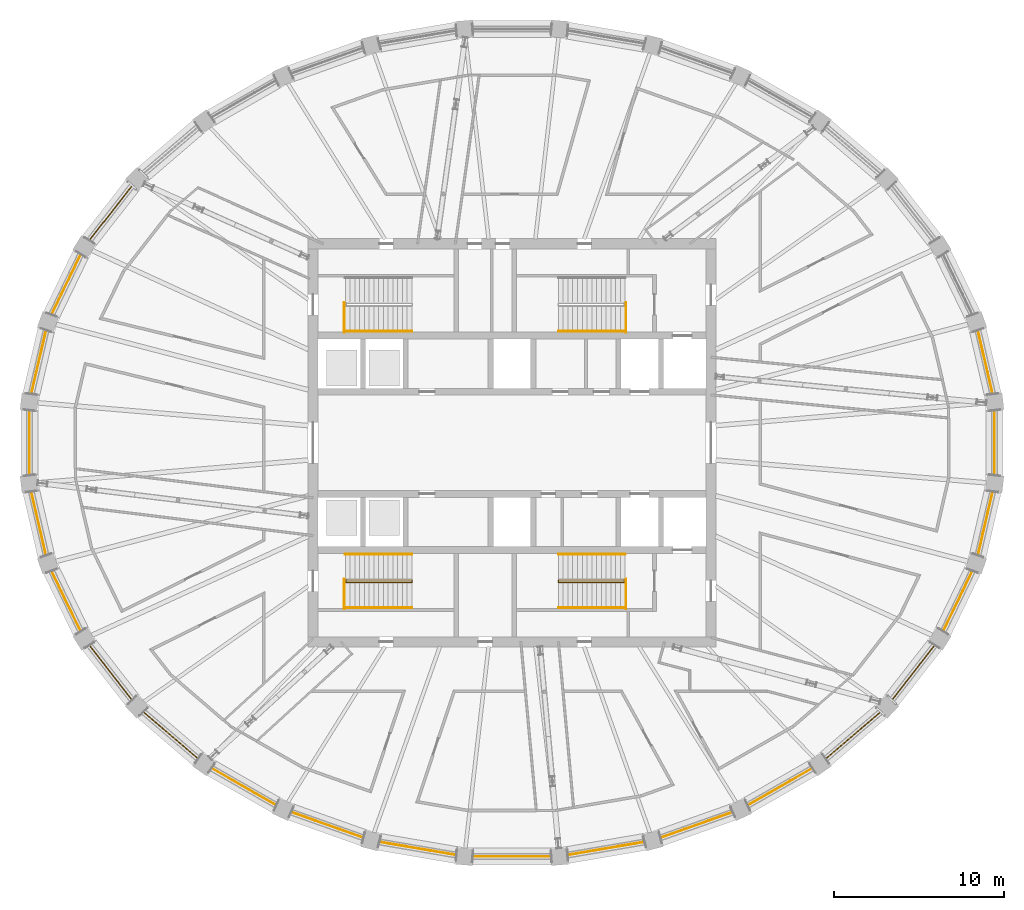
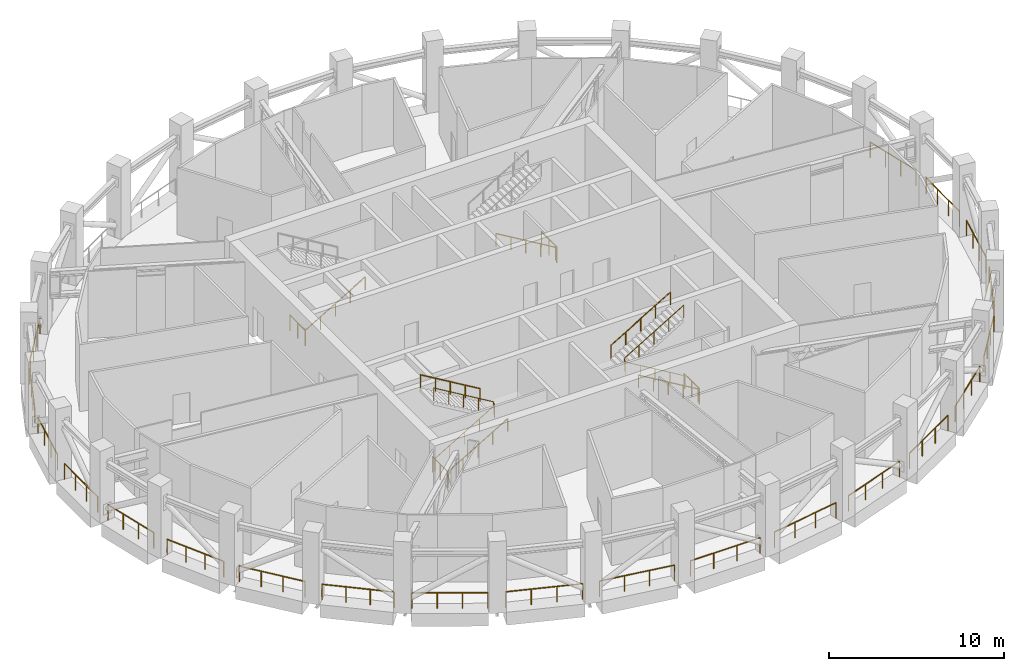
# One storey, part 18 of 20: 33 railings.
"""IFC4 building model written with IfcOpenShell, lengths in metres."""

from ifc_helpers import new_model, si_unit, direction, frame, origin, origin_2d, place, context, subcontext, project, spatial, circle, extrude, material, type_object, element, save


model = new_model("IFC4")

# Units and contexts
model_context = context("Model", 3, precision=1e-05, world=origin(), true_north=direction((0.0, 1.0)))
body_context = subcontext(model_context, "Body", "Model", "MODEL_VIEW")
ifc_project = project(units=[si_unit("LENGTHUNIT", "METRE"), si_unit("AREAUNIT", "SQUARE_METRE"), si_unit("VOLUMEUNIT", "CUBIC_METRE"), si_unit("PLANEANGLEUNIT", "RADIAN"), si_unit("MASSUNIT", "GRAM", prefix="KILO")], contexts=[model_context])

# Site, building, storey
site_placement = place(None, origin())
site = spatial("IfcSite", under=ifc_project, at=site_placement, CompositionType="ELEMENT")
building_placement = place(site_placement, origin())
building = spatial("IfcBuilding", under=site, at=building_placement, Name="Halqa Exchange Tower", CompositionType="ELEMENT")
storey_placement = place(building_placement, frame((0.0, 0.0, 328.300048828125)))
storey = spatial("IfcBuildingStorey", under=building, at=storey_placement, Name="L77", CompositionType="ELEMENT", Elevation=328.300048828125)

# Railings
ifc_material = material(Name="Stainless steel", Category="steel")
railing_type_1 = type_object("IfcRailingType", Name="Guard 1100 stainless steel", PredefinedType="GUARDRAIL", material=ifc_material)
railing_1_placement = place(storey_placement, frame((28.249755859375, 2.88134765625, 0.0)))
element("IfcRailing", 1, at=railing_1_placement, inside=storey, type_object=railing_type_1, Name="Plant edge guard 1", PredefinedType="GUARDRAIL", context=body_context, shape_type="SweptSolid", body=[
    extrude(circle(Radius=0.02392578125, at=origin_2d()), frame((0.0, 0.0, 1.076171875), z_axis=(-0.226072340182, 0.974110515806, 0.0), x_axis=(-0.974110515806, -0.226072340182, 0.0)), (0.0, 0.0, 1.0), 3.82177734375),
    extrude(circle(Radius=0.02099609375, at=origin_2d()), origin(), (0.0, 0.0, 1.0), 1.052001953125),
    extrude(circle(Radius=0.02099609375, at=origin_2d()), frame((-0.2880859375, 1.240966796875, 0.0)), (0.0, 0.0, 1.0), 1.052001953125),
    extrude(circle(Radius=0.02099609375, at=origin_2d()), frame((-0.575927734375, 2.48193359375, 0.0)), (0.0, 0.0, 1.0), 1.052001953125),
    extrude(circle(Radius=0.02099609375, at=origin_2d()), frame((-0.864013671875, 3.722900390625, 0.0)), (0.0, 0.0, 1.0), 1.052001953125),
])
railing_2_placement = place(storey_placement, frame((-22.338134765625, 15.10302734375, 0.0)))
element("IfcRailing", 2, at=railing_2_placement, inside=storey, type_object=railing_type_1, Name="Plant edge guard 13", PredefinedType="GUARDRAIL", context=body_context, shape_type="SweptSolid", body=[
    extrude(circle(Radius=0.02392578125, at=origin_2d()), frame((0.0, 0.0, 1.076171875), z_axis=(-0.614821078368, -0.788666622594, 0.0), x_axis=(0.788666622594, -0.614821078368, 0.0)), (0.0, 0.0, 1.0), 4.048828125),
    extrude(circle(Radius=0.02099609375, at=origin_2d()), origin(), (0.0, 0.0, 1.0), 1.052001953125),
    extrude(circle(Radius=0.02099609375, at=origin_2d()), frame((-0.829833984375, -1.064453125, 0.0)), (0.0, 0.0, 1.0), 1.052001953125),
    extrude(circle(Radius=0.02099609375, at=origin_2d()), frame((-1.659423828125, -2.128662109375, 0.0)), (0.0, 0.0, 1.0), 1.052001953125),
    extrude(circle(Radius=0.02099609375, at=origin_2d()), frame((-2.4892578125, -3.193115234375, 0.0)), (0.0, 0.0, 1.0), 1.052001953125),
])
railing_3_placement = place(storey_placement, frame((-25.352294921875, 11.0654296875, 0.0)))
element("IfcRailing", 3, at=railing_3_placement, inside=storey, type_object=railing_type_1, Name="Plant edge guard 14", PredefinedType="GUARDRAIL", context=body_context, shape_type="SweptSolid", body=[
    extrude(circle(Radius=0.02392578125, at=origin_2d()), frame((0.0, 0.0, 1.076171875), z_axis=(-0.435096180498, -0.900383981263, 0.0), x_axis=(0.900383981263, -0.435096180498, 0.0)), (0.0, 0.0, 1.0), 3.913818359375),
    extrude(circle(Radius=0.02099609375, at=origin_2d()), origin(), (0.0, 0.0, 1.0), 1.052001953125),
    extrude(circle(Radius=0.02099609375, at=origin_2d()), frame((-0.567626953125, -1.174560546875, 0.0)), (0.0, 0.0, 1.0), 1.052001953125),
    extrude(circle(Radius=0.02099609375, at=origin_2d()), frame((-1.13525390625, -2.349365234375, 0.0)), (0.0, 0.0, 1.0), 1.052001953125),
    extrude(circle(Radius=0.02099609375, at=origin_2d()), frame((-1.702880859375, -3.52392578125, 0.0)), (0.0, 0.0, 1.0), 1.052001953125),
])
railing_4_placement = place(storey_placement, frame((-27.3857421875, 6.604248046875, 0.0)))
element("IfcRailing", 4, at=railing_4_placement, inside=storey, type_object=railing_type_1, Name="Plant edge guard 15", PredefinedType="GUARDRAIL", context=body_context, shape_type="SweptSolid", body=[
    extrude(circle(Radius=0.02392578125, at=origin_2d()), frame((0.0, 0.0, 1.076171875), z_axis=(-0.226072340182, -0.974110515806, 0.0), x_axis=(0.974110515806, -0.226072340182, 0.0)), (0.0, 0.0, 1.0), 3.82177734375),
    extrude(circle(Radius=0.02099609375, at=origin_2d()), origin(), (0.0, 0.0, 1.0), 1.052001953125),
    extrude(circle(Radius=0.02099609375, at=origin_2d()), frame((-0.2880859375, -1.240966796875, 0.0)), (0.0, 0.0, 1.0), 1.052001953125),
    extrude(circle(Radius=0.02099609375, at=origin_2d()), frame((-0.575927734375, -2.48193359375, 0.0)), (0.0, 0.0, 1.0), 1.052001953125),
    extrude(circle(Radius=0.02099609375, at=origin_2d()), frame((-0.864013671875, -3.722900390625, 0.0)), (0.0, 0.0, 1.0), 1.052001953125),
])
railing_5_placement = place(storey_placement, frame((-28.36279296875, 1.894287109375, 0.0)))
element("IfcRailing", 5, at=railing_5_placement, inside=storey, type_object=railing_type_1, Name="Plant edge guard 16", PredefinedType="GUARDRAIL", context=body_context, shape_type="SweptSolid", body=[
    extrude(circle(Radius=0.02392578125, at=origin_2d()), frame((0.0, 0.0, 1.076171875), z_axis=(0.0, -1.0, 0.0), x_axis=(1.0, 0.0, 0.0)), (0.0, 0.0, 1.0), 3.78857421875),
    extrude(circle(Radius=0.02099609375, at=origin_2d()), origin(), (0.0, 0.0, 1.0), 1.052001953125),
    extrude(circle(Radius=0.02099609375, at=origin_2d()), frame((0.0, -1.262939453125, 0.0)), (0.0, 0.0, 1.0), 1.052001953125),
    extrude(circle(Radius=0.02099609375, at=origin_2d()), frame((0.0, -2.525634765625, 0.0)), (0.0, 0.0, 1.0), 1.052001953125),
    extrude(circle(Radius=0.02099609375, at=origin_2d()), frame((0.0, -3.78857421875, 0.0)), (0.0, 0.0, 1.0), 1.052001953125),
])
railing_6_placement = place(storey_placement, frame((-28.249755859375, -2.88134765625, 0.0)))
element("IfcRailing", 6, at=railing_6_placement, inside=storey, type_object=railing_type_1, Name="Plant edge guard 17", PredefinedType="GUARDRAIL", context=body_context, shape_type="SweptSolid", body=[
    extrude(circle(Radius=0.02392578125, at=origin_2d()), frame((0.0, 0.0, 1.076171875), z_axis=(0.226072340182, -0.974110515806, 0.0), x_axis=(0.974110515806, 0.226072340182, 0.0)), (0.0, 0.0, 1.0), 3.82177734375),
    extrude(circle(Radius=0.02099609375, at=origin_2d()), origin(), (0.0, 0.0, 1.0), 1.052001953125),
    extrude(circle(Radius=0.02099609375, at=origin_2d()), frame((0.2880859375, -1.240966796875, 0.0)), (0.0, 0.0, 1.0), 1.052001953125),
    extrude(circle(Radius=0.02099609375, at=origin_2d()), frame((0.575927734375, -2.48193359375, 0.0)), (0.0, 0.0, 1.0), 1.052001953125),
    extrude(circle(Radius=0.02099609375, at=origin_2d()), frame((0.864013671875, -3.722900390625, 0.0)), (0.0, 0.0, 1.0), 1.052001953125),
])
railing_7_placement = place(storey_placement, frame((-27.05517578125, -7.54150390625, 0.0)))
element("IfcRailing", 7, at=railing_7_placement, inside=storey, type_object=railing_type_1, Name="Plant edge guard 18", PredefinedType="GUARDRAIL", context=body_context, shape_type="SweptSolid", body=[
    extrude(circle(Radius=0.02392578125, at=origin_2d()), frame((0.0, 0.0, 1.076171875), z_axis=(0.435096180498, -0.900383981263, 0.0), x_axis=(0.900383981263, 0.435096180498, 0.0)), (0.0, 0.0, 1.0), 3.913818359375),
    extrude(circle(Radius=0.02099609375, at=origin_2d()), origin(), (0.0, 0.0, 1.0), 1.052001953125),
    extrude(circle(Radius=0.02099609375, at=origin_2d()), frame((0.567626953125, -1.174560546875, 0.0)), (0.0, 0.0, 1.0), 1.052001953125),
    extrude(circle(Radius=0.02099609375, at=origin_2d()), frame((1.13525390625, -2.349365234375, 0.0)), (0.0, 0.0, 1.0), 1.052001953125),
    extrude(circle(Radius=0.02099609375, at=origin_2d()), frame((1.702880859375, -3.52392578125, 0.0)), (0.0, 0.0, 1.0), 1.052001953125),
])
railing_8_placement = place(storey_placement, frame((-24.827392578125, -11.909912109375, 0.0)))
element("IfcRailing", 8, at=railing_8_placement, inside=storey, type_object=railing_type_1, Name="Plant edge guard 19", PredefinedType="GUARDRAIL", context=body_context, shape_type="SweptSolid", body=[
    extrude(circle(Radius=0.02392578125, at=origin_2d()), frame((0.0, 0.0, 1.076171875), z_axis=(0.614821078368, -0.788666622594, 0.0), x_axis=(0.788666622594, 0.614821078368, 0.0)), (0.0, 0.0, 1.0), 4.048828125),
    extrude(circle(Radius=0.02099609375, at=origin_2d()), origin(), (0.0, 0.0, 1.0), 1.052001953125),
    extrude(circle(Radius=0.02099609375, at=origin_2d()), frame((0.829833984375, -1.064453125, 0.0)), (0.0, 0.0, 1.0), 1.052001953125),
    extrude(circle(Radius=0.02099609375, at=origin_2d()), frame((1.659423828125, -2.128662109375, 0.0)), (0.0, 0.0, 1.0), 1.052001953125),
    extrude(circle(Radius=0.02099609375, at=origin_2d()), frame((2.4892578125, -3.193115234375, 0.0)), (0.0, 0.0, 1.0), 1.052001953125),
])
railing_9_placement = place(storey_placement, frame((-21.651123046875, -15.82275390625, 0.0)))
element("IfcRailing", 9, at=railing_9_placement, inside=storey, type_object=railing_type_1, Name="Plant edge guard 20", PredefinedType="GUARDRAIL", context=body_context, shape_type="SweptSolid", body=[
    extrude(circle(Radius=0.02392578125, at=origin_2d()), frame((0.0, 0.0, 1.076171875), z_axis=(0.75927300229, -0.650772239723, 0.0), x_axis=(0.650772239723, 0.75927300229, 0.0)), (0.0, 0.0, 1.0), 4.203125),
    extrude(circle(Radius=0.02099609375, at=origin_2d()), origin(), (0.0, 0.0, 1.0), 1.052001953125),
    extrude(circle(Radius=0.02099609375, at=origin_2d()), frame((1.063720703125, -0.911865234375, 0.0)), (0.0, 0.0, 1.0), 1.052001953125),
    extrude(circle(Radius=0.02099609375, at=origin_2d()), frame((2.127685546875, -1.823486328125, 0.0)), (0.0, 0.0, 1.0), 1.052001953125),
    extrude(circle(Radius=0.02099609375, at=origin_2d()), frame((3.19140625, -2.7353515625, 0.0)), (0.0, 0.0, 1.0), 1.052001953125),
])
railing_10_placement = place(storey_placement, frame((-17.646240234375, -19.132080078125, 0.0)))
element("IfcRailing", 10, at=railing_10_placement, inside=storey, type_object=railing_type_1, Name="Plant edge guard 21", PredefinedType="GUARDRAIL", context=body_context, shape_type="SweptSolid", body=[
    extrude(circle(Radius=0.02392578125, at=origin_2d()), frame((0.0, 0.0, 1.076171875), z_axis=(0.867752650497, -0.496996315434, 0.0), x_axis=(0.496996315434, 0.867752650497, 0.0)), (0.0, 0.0, 1.0), 4.353271484375),
    extrude(circle(Radius=0.02099609375, at=origin_2d()), origin(), (0.0, 0.0, 1.0), 1.052001953125),
    extrude(circle(Radius=0.02099609375, at=origin_2d()), frame((1.25927734375, -0.72119140625, 0.0)), (0.0, 0.0, 1.0), 1.052001953125),
    extrude(circle(Radius=0.02099609375, at=origin_2d()), frame((2.518310546875, -1.4423828125, 0.0)), (0.0, 0.0, 1.0), 1.052001953125),
    extrude(circle(Radius=0.02099609375, at=origin_2d()), frame((3.777587890625, -2.16357421875, 0.0)), (0.0, 0.0, 1.0), 1.052001953125),
])
railing_11_placement = place(storey_placement, frame((-12.963623046875, -21.71142578125, 0.0)))
element("IfcRailing", 11, at=railing_11_placement, inside=storey, type_object=railing_type_1, Name="Plant edge guard 22", PredefinedType="GUARDRAIL", context=body_context, shape_type="SweptSolid", body=[
    extrude(circle(Radius=0.02392578125, at=origin_2d()), frame((0.0, 0.0, 1.076171875), z_axis=(0.942364531835, -0.334587939321, 0.0), x_axis=(0.334587939321, 0.942364531835, 0.0)), (0.0, 0.0, 1.0), 4.477294921875),
    extrude(circle(Radius=0.02099609375, at=origin_2d()), origin(), (0.0, 0.0, 1.0), 1.052001953125),
    extrude(circle(Radius=0.02099609375, at=origin_2d()), frame((1.406494140625, -0.499267578125, 0.0)), (0.0, 0.0, 1.0), 1.052001953125),
    extrude(circle(Radius=0.02099609375, at=origin_2d()), frame((2.812744140625, -0.998779296875, 0.0)), (0.0, 0.0, 1.0), 1.052001953125),
    extrude(circle(Radius=0.02099609375, at=origin_2d()), frame((4.21923828125, -1.498046875, 0.0)), (0.0, 0.0, 1.0), 1.052001953125),
])
railing_12_placement = place(storey_placement, frame((-7.7802734375, -23.460693359375, 0.0)))
element("IfcRailing", 12, at=railing_12_placement, inside=storey, type_object=railing_type_1, Name="Plant edge guard 23", PredefinedType="GUARDRAIL", context=body_context, shape_type="SweptSolid", body=[
    extrude(circle(Radius=0.02392578125, at=origin_2d()), frame((0.0, 0.0, 1.076171875), z_axis=(0.985768911013, -0.168106079843, 0.0), x_axis=(0.168106079843, 0.985768911013, 0.0)), (0.0, 0.0, 1.0), 4.558837890625),
    extrude(circle(Radius=0.02099609375, at=origin_2d()), origin(), (0.0, 0.0, 1.0), 1.052001953125),
    extrude(circle(Radius=0.02099609375, at=origin_2d()), frame((1.498046875, -0.25537109375, 0.0)), (0.0, 0.0, 1.0), 1.052001953125),
    extrude(circle(Radius=0.02099609375, at=origin_2d()), frame((2.995849609375, -0.510986328125, 0.0)), (0.0, 0.0, 1.0), 1.052001953125),
    extrude(circle(Radius=0.02099609375, at=origin_2d()), frame((4.493896484375, -0.766357421875, 0.0)), (0.0, 0.0, 1.0), 1.052001953125),
])
railing_13_placement = place(storey_placement, frame((-2.29345703125, -24.31103515625, 0.0)))
element("IfcRailing", 13, at=railing_13_placement, inside=storey, type_object=railing_type_1, Name="Plant edge guard 24", PredefinedType="GUARDRAIL", context=body_context, shape_type="SweptSolid", body=[
    extrude(circle(Radius=0.02392578125, at=origin_2d()), frame((0.0, 0.0, 1.076171875), z_axis=(1.0, 0.0, 0.0), x_axis=(0.0, 1.0, 0.0)), (0.0, 0.0, 1.0), 4.5869140625),
    extrude(circle(Radius=0.02099609375, at=origin_2d()), origin(), (0.0, 0.0, 1.0), 1.052001953125),
    extrude(circle(Radius=0.02099609375, at=origin_2d()), frame((1.529052734375, 0.0, 0.0)), (0.0, 0.0, 1.0), 1.052001953125),
    extrude(circle(Radius=0.02099609375, at=origin_2d()), frame((3.057861328125, 0.0, 0.0)), (0.0, 0.0, 1.0), 1.052001953125),
    extrude(circle(Radius=0.02099609375, at=origin_2d()), frame((4.5869140625, 0.0, 0.0)), (0.0, 0.0, 1.0), 1.052001953125),
])
railing_14_placement = place(storey_placement, frame((3.286376953125, -24.22705078125, 0.0)))
element("IfcRailing", 14, at=railing_14_placement, inside=storey, type_object=railing_type_1, Name="Plant edge guard 25", PredefinedType="GUARDRAIL", context=body_context, shape_type="SweptSolid", body=[
    extrude(circle(Radius=0.02392578125, at=origin_2d()), frame((0.0, 0.0, 1.076171875), z_axis=(0.985768911013, 0.168106079843, 0.0), x_axis=(-0.168106079843, 0.985768911013, 0.0)), (0.0, 0.0, 1.0), 4.558837890625),
    extrude(circle(Radius=0.02099609375, at=origin_2d()), origin(), (0.0, 0.0, 1.0), 1.052001953125),
    extrude(circle(Radius=0.02099609375, at=origin_2d()), frame((1.498046875, 0.25537109375, 0.0)), (0.0, 0.0, 1.0), 1.052001953125),
    extrude(circle(Radius=0.02099609375, at=origin_2d()), frame((2.995849609375, 0.510986328125, 0.0)), (0.0, 0.0, 1.0), 1.052001953125),
    extrude(circle(Radius=0.02099609375, at=origin_2d()), frame((4.493896484375, 0.766357421875, 0.0)), (0.0, 0.0, 1.0), 1.052001953125),
])
railing_15_placement = place(storey_placement, frame((8.744384765625, -23.20947265625, 0.0)))
element("IfcRailing", 15, at=railing_15_placement, inside=storey, type_object=railing_type_1, Name="Plant edge guard 26", PredefinedType="GUARDRAIL", context=body_context, shape_type="SweptSolid", body=[
    extrude(circle(Radius=0.02392578125, at=origin_2d()), frame((0.0, 0.0, 1.076171875), z_axis=(0.942364531835, 0.334587939321, 0.0), x_axis=(-0.334587939321, 0.942364531835, 0.0)), (0.0, 0.0, 1.0), 4.477294921875),
    extrude(circle(Radius=0.02099609375, at=origin_2d()), origin(), (0.0, 0.0, 1.0), 1.052001953125),
    extrude(circle(Radius=0.02099609375, at=origin_2d()), frame((1.406494140625, 0.499267578125, 0.0)), (0.0, 0.0, 1.0), 1.052001953125),
    extrude(circle(Radius=0.02099609375, at=origin_2d()), frame((2.812744140625, 0.998779296875, 0.0)), (0.0, 0.0, 1.0), 1.052001953125),
    extrude(circle(Radius=0.02099609375, at=origin_2d()), frame((4.21923828125, 1.498046875, 0.0)), (0.0, 0.0, 1.0), 1.052001953125),
])
railing_16_placement = place(storey_placement, frame((13.86865234375, -21.295654296875, 0.0)))
element("IfcRailing", 16, at=railing_16_placement, inside=storey, type_object=railing_type_1, Name="Plant edge guard 27", PredefinedType="GUARDRAIL", context=body_context, shape_type="SweptSolid", body=[
    extrude(circle(Radius=0.02392578125, at=origin_2d()), frame((0.0, 0.0, 1.076171875), z_axis=(0.867752650497, 0.496996315434, 0.0), x_axis=(-0.496996315434, 0.867752650497, 0.0)), (0.0, 0.0, 1.0), 4.353271484375),
    extrude(circle(Radius=0.02099609375, at=origin_2d()), origin(), (0.0, 0.0, 1.0), 1.052001953125),
    extrude(circle(Radius=0.02099609375, at=origin_2d()), frame((1.25927734375, 0.72119140625, 0.0)), (0.0, 0.0, 1.0), 1.052001953125),
    extrude(circle(Radius=0.02099609375, at=origin_2d()), frame((2.518310546875, 1.4423828125, 0.0)), (0.0, 0.0, 1.0), 1.052001953125),
    extrude(circle(Radius=0.02099609375, at=origin_2d()), frame((3.777587890625, 2.16357421875, 0.0)), (0.0, 0.0, 1.0), 1.052001953125),
])
railing_17_placement = place(storey_placement, frame((18.459716796875, -18.55810546875, 0.0)))
element("IfcRailing", 17, at=railing_17_placement, inside=storey, type_object=railing_type_1, Name="Plant edge guard 28", PredefinedType="GUARDRAIL", context=body_context, shape_type="SweptSolid", body=[
    extrude(circle(Radius=0.02392578125, at=origin_2d()), frame((0.0, 0.0, 1.076171875), z_axis=(0.75927300229, 0.650772239723, 0.0), x_axis=(-0.650772239723, 0.75927300229, 0.0)), (0.0, 0.0, 1.0), 4.203125),
    extrude(circle(Radius=0.02099609375, at=origin_2d()), origin(), (0.0, 0.0, 1.0), 1.052001953125),
    extrude(circle(Radius=0.02099609375, at=origin_2d()), frame((1.063720703125, 0.911865234375, 0.0)), (0.0, 0.0, 1.0), 1.052001953125),
    extrude(circle(Radius=0.02099609375, at=origin_2d()), frame((2.127685546875, 1.823486328125, 0.0)), (0.0, 0.0, 1.0), 1.052001953125),
    extrude(circle(Radius=0.02099609375, at=origin_2d()), frame((3.19140625, 2.7353515625, 0.0)), (0.0, 0.0, 1.0), 1.052001953125),
])
railing_18_placement = place(storey_placement, frame((22.338134765625, -15.10302734375, 0.0)))
element("IfcRailing", 18, at=railing_18_placement, inside=storey, type_object=railing_type_1, Name="Plant edge guard 29", PredefinedType="GUARDRAIL", context=body_context, shape_type="SweptSolid", body=[
    extrude(circle(Radius=0.02392578125, at=origin_2d()), frame((0.0, 0.0, 1.076171875), z_axis=(0.614821078368, 0.788666622594, 0.0), x_axis=(-0.788666622594, 0.614821078368, 0.0)), (0.0, 0.0, 1.0), 4.048828125),
    extrude(circle(Radius=0.02099609375, at=origin_2d()), origin(), (0.0, 0.0, 1.0), 1.052001953125),
    extrude(circle(Radius=0.02099609375, at=origin_2d()), frame((0.829833984375, 1.064453125, 0.0)), (0.0, 0.0, 1.0), 1.052001953125),
    extrude(circle(Radius=0.02099609375, at=origin_2d()), frame((1.659423828125, 2.128662109375, 0.0)), (0.0, 0.0, 1.0), 1.052001953125),
    extrude(circle(Radius=0.02099609375, at=origin_2d()), frame((2.4892578125, 3.193115234375, 0.0)), (0.0, 0.0, 1.0), 1.052001953125),
])
railing_19_placement = place(storey_placement, frame((25.352294921875, -11.0654296875, 0.0)))
element("IfcRailing", 19, at=railing_19_placement, inside=storey, type_object=railing_type_1, Name="Plant edge guard 30", PredefinedType="GUARDRAIL", context=body_context, shape_type="SweptSolid", body=[
    extrude(circle(Radius=0.02392578125, at=origin_2d()), frame((0.0, 0.0, 1.076171875), z_axis=(0.435096180498, 0.900383981263, 0.0), x_axis=(-0.900383981263, 0.435096180498, 0.0)), (0.0, 0.0, 1.0), 3.913818359375),
    extrude(circle(Radius=0.02099609375, at=origin_2d()), origin(), (0.0, 0.0, 1.0), 1.052001953125),
    extrude(circle(Radius=0.02099609375, at=origin_2d()), frame((0.567626953125, 1.174560546875, 0.0)), (0.0, 0.0, 1.0), 1.052001953125),
    extrude(circle(Radius=0.02099609375, at=origin_2d()), frame((1.13525390625, 2.349365234375, 0.0)), (0.0, 0.0, 1.0), 1.052001953125),
    extrude(circle(Radius=0.02099609375, at=origin_2d()), frame((1.702880859375, 3.52392578125, 0.0)), (0.0, 0.0, 1.0), 1.052001953125),
])
railing_20_placement = place(storey_placement, frame((27.3857421875, -6.604248046875, 0.0)))
element("IfcRailing", 20, at=railing_20_placement, inside=storey, type_object=railing_type_1, Name="Plant edge guard 31", PredefinedType="GUARDRAIL", context=body_context, shape_type="SweptSolid", body=[
    extrude(circle(Radius=0.02392578125, at=origin_2d()), frame((0.0, 0.0, 1.076171875), z_axis=(0.226072340182, 0.974110515806, 0.0), x_axis=(-0.974110515806, 0.226072340182, 0.0)), (0.0, 0.0, 1.0), 3.82177734375),
    extrude(circle(Radius=0.02099609375, at=origin_2d()), origin(), (0.0, 0.0, 1.0), 1.052001953125),
    extrude(circle(Radius=0.02099609375, at=origin_2d()), frame((0.2880859375, 1.240966796875, 0.0)), (0.0, 0.0, 1.0), 1.052001953125),
    extrude(circle(Radius=0.02099609375, at=origin_2d()), frame((0.575927734375, 2.48193359375, 0.0)), (0.0, 0.0, 1.0), 1.052001953125),
    extrude(circle(Radius=0.02099609375, at=origin_2d()), frame((0.864013671875, 3.722900390625, 0.0)), (0.0, 0.0, 1.0), 1.052001953125),
])
railing_21_placement = place(storey_placement, frame((28.36279296875, -1.894287109375, 0.0)))
element("IfcRailing", 21, at=railing_21_placement, inside=storey, type_object=railing_type_1, Name="Plant edge guard 32", PredefinedType="GUARDRAIL", context=body_context, shape_type="SweptSolid", body=[
    extrude(circle(Radius=0.02392578125, at=origin_2d()), frame((0.0, 0.0, 1.076171875), z_axis=(0.0, 1.0, 0.0), x_axis=(-1.0, 0.0, 0.0)), (0.0, 0.0, 1.0), 3.78857421875),
    extrude(circle(Radius=0.02099609375, at=origin_2d()), origin(), (0.0, 0.0, 1.0), 1.052001953125),
    extrude(circle(Radius=0.02099609375, at=origin_2d()), frame((0.0, 1.262939453125, 0.0)), (0.0, 0.0, 1.0), 1.052001953125),
    extrude(circle(Radius=0.02099609375, at=origin_2d()), frame((0.0, 2.525634765625, 0.0)), (0.0, 0.0, 1.0), 1.052001953125),
    extrude(circle(Radius=0.02099609375, at=origin_2d()), frame((0.0, 3.78857421875, 0.0)), (0.0, 0.0, 1.0), 1.052001953125),
])
railing_type_2 = type_object("IfcRailingType", Name="Stair handrail 900", PredefinedType="HANDRAIL", material=ifc_material)
railing_22_placement = place(storey_placement, frame((-9.800048828125, 6.550048828125, 0.166748046875)))
element("IfcRailing", 22, at=railing_22_placement, inside=storey, type_object=railing_type_2, Name="Handrail ST1.2", PredefinedType="HANDRAIL", context=body_context, shape_type="SweptSolid", body=[
    extrude(circle(Radius=0.02392578125, at=origin_2d()), frame((0.0, 0.0, 0.8759765625), z_axis=(0.859310244771, 0.0, 0.511454693235), x_axis=(0.0, 1.0, 0.0)), (0.0, 0.0, 1.0), 4.56201171875),
    extrude(circle(Radius=0.02099609375, at=origin_2d()), origin(), (0.0, 0.0, 1.0), 0.851806640625),
    extrude(circle(Radius=0.02099609375, at=origin_2d()), frame((0.97998046875, 0.0, 0.583251953125)), (0.0, 0.0, 1.0), 0.851806640625),
    extrude(circle(Radius=0.02099609375, at=origin_2d()), frame((1.9599609375, 0.0, 1.16650390625)), (0.0, 0.0, 1.0), 0.851806640625),
    extrude(circle(Radius=0.02099609375, at=origin_2d()), frame((2.940185546875, 0.0, 1.75)), (0.0, 0.0, 1.0), 0.851806640625),
    extrude(circle(Radius=0.02099609375, at=origin_2d()), frame((3.920166015625, 0.0, 2.333251953125)), (0.0, 0.0, 1.0), 0.851806640625),
])
railing_23_placement = place(storey_placement, frame((6.64990234375, 6.550048828125, 0.166748046875)))
element("IfcRailing", 23, at=railing_23_placement, inside=storey, type_object=railing_type_2, Name="Handrail ST2.2", PredefinedType="HANDRAIL", context=body_context, shape_type="SweptSolid", body=[
    extrude(circle(Radius=0.02392578125, at=origin_2d()), frame((0.0, 0.0, 0.8759765625), z_axis=(-0.859296244711, 0.0, 0.511478214419), x_axis=(0.0, -1.0, 0.0)), (0.0, 0.0, 1.0), 4.561767578125),
    extrude(circle(Radius=0.02099609375, at=origin_2d()), origin(), (0.0, 0.0, 1.0), 0.851806640625),
    extrude(circle(Radius=0.02099609375, at=origin_2d()), frame((-0.97998046875, 0.0, 0.583251953125)), (0.0, 0.0, 1.0), 0.851806640625),
    extrude(circle(Radius=0.02099609375, at=origin_2d()), frame((-1.9599609375, 0.0, 1.16650390625)), (0.0, 0.0, 1.0), 0.851806640625),
    extrude(circle(Radius=0.02099609375, at=origin_2d()), frame((-2.93994140625, 0.0, 1.75)), (0.0, 0.0, 1.0), 0.851806640625),
    extrude(circle(Radius=0.02099609375, at=origin_2d()), frame((-3.919921875, 0.0, 2.333251953125)), (0.0, 0.0, 1.0), 0.851806640625),
])
railing_24_placement = place(storey_placement, frame((-9.800048828125, -8.18994140625, 0.166748046875)))
element("IfcRailing", 24, at=railing_24_placement, inside=storey, type_object=railing_type_2, Name="Handrail ST3.1", PredefinedType="HANDRAIL", context=body_context, shape_type="SweptSolid", body=[
    extrude(circle(Radius=0.02392578125, at=origin_2d()), frame((0.0, 0.0, 0.8759765625), z_axis=(0.859310244771, 0.0, 0.511454693235), x_axis=(0.0, 1.0, 0.0)), (0.0, 0.0, 1.0), 4.56201171875),
    extrude(circle(Radius=0.02392578125, at=origin_2d()), frame((3.920166015625, 0.0, 3.208984375), z_axis=(0.0, 0.614500226555, 0.788916644243), x_axis=(-1.0, 0.0, 0.0)), (0.0, 0.0, 1.0), 0.21142578125),
    extrude(circle(Radius=0.02392578125, at=origin_2d()), frame((3.920166015625, 0.1298828125, 3.3759765625), z_axis=(-0.859310244771, 0.0, 0.511454693235), x_axis=(0.0, -1.0, 0.0)), (0.0, 0.0, 1.0), 4.56201171875),
    extrude(circle(Radius=0.02099609375, at=origin_2d()), origin(), (0.0, 0.0, 1.0), 0.851806640625),
    extrude(circle(Radius=0.02099609375, at=origin_2d()), frame((0.97998046875, 0.0, 0.583251953125)), (0.0, 0.0, 1.0), 0.851806640625),
    extrude(circle(Radius=0.02099609375, at=origin_2d()), frame((1.9599609375, 0.0, 1.16650390625)), (0.0, 0.0, 1.0), 0.851806640625),
    extrude(circle(Radius=0.02099609375, at=origin_2d()), frame((2.940185546875, 0.0, 1.75)), (0.0, 0.0, 1.0), 0.851806640625),
    extrude(circle(Radius=0.02099609375, at=origin_2d()), frame((3.920166015625, 0.0, 2.333251953125)), (0.0, 0.0, 1.0), 0.851806640625),
    extrude(circle(Radius=0.02099609375, at=origin_2d()), frame((3.920166015625, 0.1298828125, 2.5)), (0.0, 0.0, 1.0), 0.851806640625),
    extrude(circle(Radius=0.02099609375, at=origin_2d()), frame((2.940185546875, 0.1298828125, 3.083251953125)), (0.0, 0.0, 1.0), 0.851806640625),
    extrude(circle(Radius=0.02099609375, at=origin_2d()), frame((1.9599609375, 0.1298828125, 3.66650390625)), (0.0, 0.0, 1.0), 0.851806640625),
    extrude(circle(Radius=0.02099609375, at=origin_2d()), frame((0.97998046875, 0.1298828125, 4.25)), (0.0, 0.0, 1.0), 0.851806640625),
    extrude(circle(Radius=0.02099609375, at=origin_2d()), frame((0.0, 0.1298828125, 4.833251953125)), (0.0, 0.0, 1.0), 0.851806640625),
])
railing_25_placement = place(storey_placement, frame((-9.800048828125, -9.699951171875, 0.166748046875)))
element("IfcRailing", 25, at=railing_25_placement, inside=storey, type_object=railing_type_2, Name="Handrail ST3.2", PredefinedType="HANDRAIL", context=body_context, shape_type="SweptSolid", body=[
    extrude(circle(Radius=0.02392578125, at=origin_2d()), frame((0.0, 0.0, 0.8759765625), z_axis=(0.859310244771, 0.0, 0.511454693235), x_axis=(0.0, 1.0, 0.0)), (0.0, 0.0, 1.0), 4.56201171875),
    extrude(circle(Radius=0.02099609375, at=origin_2d()), origin(), (0.0, 0.0, 1.0), 0.851806640625),
    extrude(circle(Radius=0.02099609375, at=origin_2d()), frame((0.97998046875, 0.0, 0.583251953125)), (0.0, 0.0, 1.0), 0.851806640625),
    extrude(circle(Radius=0.02099609375, at=origin_2d()), frame((1.9599609375, 0.0, 1.16650390625)), (0.0, 0.0, 1.0), 0.851806640625),
    extrude(circle(Radius=0.02099609375, at=origin_2d()), frame((2.940185546875, 0.0, 1.75)), (0.0, 0.0, 1.0), 0.851806640625),
    extrude(circle(Radius=0.02099609375, at=origin_2d()), frame((3.920166015625, 0.0, 2.333251953125)), (0.0, 0.0, 1.0), 0.851806640625),
])
railing_26_placement = place(storey_placement, frame((-5.8798828125, -6.550048828125, 2.666748046875)))
element("IfcRailing", 26, at=railing_26_placement, inside=storey, type_object=railing_type_2, Name="Handrail ST3.3", PredefinedType="HANDRAIL", context=body_context, shape_type="SweptSolid", body=[
    extrude(circle(Radius=0.02392578125, at=origin_2d()), frame((0.0, 0.0, 0.8759765625), z_axis=(-0.859310244771, 0.0, 0.511454693235), x_axis=(0.0, -1.0, 0.0)), (0.0, 0.0, 1.0), 4.56201171875),
    extrude(circle(Radius=0.02099609375, at=origin_2d()), origin(), (0.0, 0.0, 1.0), 0.851806640625),
    extrude(circle(Radius=0.02099609375, at=origin_2d()), frame((-0.97998046875, 0.0, 0.583251953125)), (0.0, 0.0, 1.0), 0.851806640625),
    extrude(circle(Radius=0.02099609375, at=origin_2d()), frame((-1.9599609375, 0.0, 1.16650390625)), (0.0, 0.0, 1.0), 0.851806640625),
    extrude(circle(Radius=0.02099609375, at=origin_2d()), frame((-2.940185546875, 0.0, 1.75)), (0.0, 0.0, 1.0), 0.851806640625),
    extrude(circle(Radius=0.02099609375, at=origin_2d()), frame((-3.920166015625, 0.0, 2.333251953125)), (0.0, 0.0, 1.0), 0.851806640625),
])
railing_27_placement = place(storey_placement, frame((6.64990234375, -8.18994140625, 0.166748046875)))
element("IfcRailing", 27, at=railing_27_placement, inside=storey, type_object=railing_type_2, Name="Handrail ST4.1", PredefinedType="HANDRAIL", context=body_context, shape_type="SweptSolid", body=[
    extrude(circle(Radius=0.02392578125, at=origin_2d()), frame((0.0, 0.0, 0.8759765625), z_axis=(-0.859296244711, 0.0, 0.511478214419), x_axis=(0.0, -1.0, 0.0)), (0.0, 0.0, 1.0), 4.561767578125),
    extrude(circle(Radius=0.02392578125, at=origin_2d()), frame((-3.919921875, 0.0, 3.208984375), z_axis=(0.0, 0.614500226555, 0.788916644243), x_axis=(-1.0, 0.0, 0.0)), (0.0, 0.0, 1.0), 0.21142578125),
    extrude(circle(Radius=0.02392578125, at=origin_2d()), frame((-3.919921875, 0.1298828125, 3.3759765625), z_axis=(0.859296244711, 0.0, 0.511478214419), x_axis=(0.0, 1.0, 0.0)), (0.0, 0.0, 1.0), 4.561767578125),
    extrude(circle(Radius=0.02099609375, at=origin_2d()), origin(), (0.0, 0.0, 1.0), 0.851806640625),
    extrude(circle(Radius=0.02099609375, at=origin_2d()), frame((-0.97998046875, 0.0, 0.583251953125)), (0.0, 0.0, 1.0), 0.851806640625),
    extrude(circle(Radius=0.02099609375, at=origin_2d()), frame((-1.9599609375, 0.0, 1.16650390625)), (0.0, 0.0, 1.0), 0.851806640625),
    extrude(circle(Radius=0.02099609375, at=origin_2d()), frame((-2.93994140625, 0.0, 1.75)), (0.0, 0.0, 1.0), 0.851806640625),
    extrude(circle(Radius=0.02099609375, at=origin_2d()), frame((-3.919921875, 0.0, 2.333251953125)), (0.0, 0.0, 1.0), 0.851806640625),
    extrude(circle(Radius=0.02099609375, at=origin_2d()), frame((-3.919921875, 0.1298828125, 2.5)), (0.0, 0.0, 1.0), 0.851806640625),
    extrude(circle(Radius=0.02099609375, at=origin_2d()), frame((-2.93994140625, 0.1298828125, 3.083251953125)), (0.0, 0.0, 1.0), 0.851806640625),
    extrude(circle(Radius=0.02099609375, at=origin_2d()), frame((-1.9599609375, 0.1298828125, 3.66650390625)), (0.0, 0.0, 1.0), 0.851806640625),
    extrude(circle(Radius=0.02099609375, at=origin_2d()), frame((-0.97998046875, 0.1298828125, 4.25)), (0.0, 0.0, 1.0), 0.851806640625),
    extrude(circle(Radius=0.02099609375, at=origin_2d()), frame((0.0, 0.1298828125, 4.833251953125)), (0.0, 0.0, 1.0), 0.851806640625),
])
railing_28_placement = place(storey_placement, frame((6.64990234375, -9.699951171875, 0.166748046875)))
element("IfcRailing", 28, at=railing_28_placement, inside=storey, type_object=railing_type_2, Name="Handrail ST4.2", PredefinedType="HANDRAIL", context=body_context, shape_type="SweptSolid", body=[
    extrude(circle(Radius=0.02392578125, at=origin_2d()), frame((0.0, 0.0, 0.8759765625), z_axis=(-0.859296244711, 0.0, 0.511478214419), x_axis=(0.0, -1.0, 0.0)), (0.0, 0.0, 1.0), 4.561767578125),
    extrude(circle(Radius=0.02099609375, at=origin_2d()), origin(), (0.0, 0.0, 1.0), 0.851806640625),
    extrude(circle(Radius=0.02099609375, at=origin_2d()), frame((-0.97998046875, 0.0, 0.583251953125)), (0.0, 0.0, 1.0), 0.851806640625),
    extrude(circle(Radius=0.02099609375, at=origin_2d()), frame((-1.9599609375, 0.0, 1.16650390625)), (0.0, 0.0, 1.0), 0.851806640625),
    extrude(circle(Radius=0.02099609375, at=origin_2d()), frame((-2.93994140625, 0.0, 1.75)), (0.0, 0.0, 1.0), 0.851806640625),
    extrude(circle(Radius=0.02099609375, at=origin_2d()), frame((-3.919921875, 0.0, 2.333251953125)), (0.0, 0.0, 1.0), 0.851806640625),
])
railing_29_placement = place(storey_placement, frame((2.72998046875, -6.550048828125, 2.666748046875)))
element("IfcRailing", 29, at=railing_29_placement, inside=storey, type_object=railing_type_2, Name="Handrail ST4.3", PredefinedType="HANDRAIL", context=body_context, shape_type="SweptSolid", body=[
    extrude(circle(Radius=0.02392578125, at=origin_2d()), frame((0.0, 0.0, 0.8759765625), z_axis=(0.859296244711, 0.0, 0.511478214419), x_axis=(0.0, 1.0, 0.0)), (0.0, 0.0, 1.0), 4.561767578125),
    extrude(circle(Radius=0.02099609375, at=origin_2d()), origin(), (0.0, 0.0, 1.0), 0.851806640625),
    extrude(circle(Radius=0.02099609375, at=origin_2d()), frame((0.97998046875, 0.0, 0.583251953125)), (0.0, 0.0, 1.0), 0.851806640625),
    extrude(circle(Radius=0.02099609375, at=origin_2d()), frame((1.9599609375, 0.0, 1.16650390625)), (0.0, 0.0, 1.0), 0.851806640625),
    extrude(circle(Radius=0.02099609375, at=origin_2d()), frame((2.93994140625, 0.0, 1.75)), (0.0, 0.0, 1.0), 0.851806640625),
    extrude(circle(Radius=0.02099609375, at=origin_2d()), frame((3.919921875, 0.0, 2.333251953125)), (0.0, 0.0, 1.0), 0.851806640625),
])
railing_type_3 = type_object("IfcRailingType", Name="Stair well guard 1100", PredefinedType="GUARDRAIL", material=ifc_material)
for number, where, name in (
    (30, (-9.85009765625, 6.5, 0.0), "Guard ST1 well"),
    (31, (6.699951171875, 6.5, 0.0), "Guard ST2 well"),
    (32, (-9.85009765625, -9.75, 0.0), "Guard ST3 well"),
    (33, (6.699951171875, -9.75, 0.0), "Guard ST4 well"),
):
    element("IfcRailing", number, at=place(storey_placement, frame(where)), inside=storey, type_object=railing_type_3, Name=name, PredefinedType="GUARDRAIL", context=body_context, shape_type="SweptSolid", body=[
        extrude(circle(Radius=0.02392578125, at=origin_2d()), frame((0.0, 0.0, 1.076171875), z_axis=(0.0, 1.0, 0.0), x_axis=(-1.0, 0.0, 0.0)), (0.0, 0.0, 1.0), 1.75),
        extrude(circle(Radius=0.02099609375, at=origin_2d()), origin(), (0.0, 0.0, 1.0), 1.052001953125),
        extrude(circle(Radius=0.02099609375, at=origin_2d()), frame((0.0, 0.875, 0.0)), (0.0, 0.0, 1.0), 1.052001953125),
        extrude(circle(Radius=0.02099609375, at=origin_2d()), frame((0.0, 1.75, 0.0)), (0.0, 0.0, 1.0), 1.052001953125),
    ])

save(model, "model.ifc")
